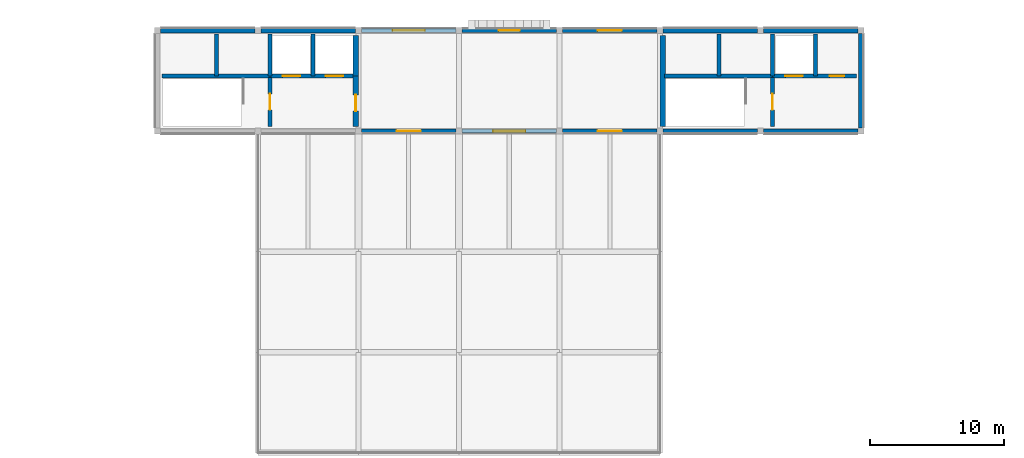
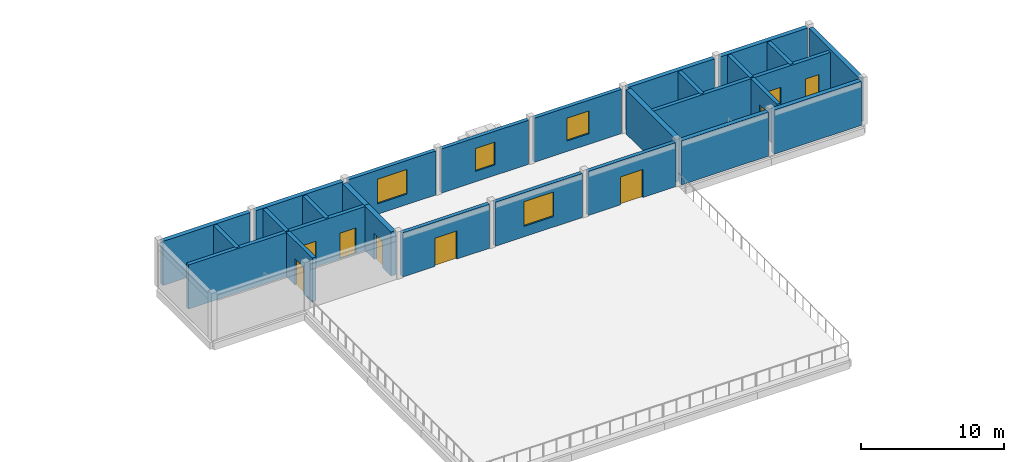
# One storey, part 17 of 33: 28 walls, 9 doors, 4 windows, 13 openings.
"""IFC4 building model written with IfcOpenShell, lengths in metres."""

from ifc_helpers import new_model, si_unit, direction, frame, frame_2d, origin, place, context, subcontext, project, spatial, rectangle, extrude, material, layer, layer_set, type_object, element, fill, save


model = new_model("IFC4")

# Units and contexts
model_context = context("Model", 3, precision=1e-05, world=origin(), true_north=direction((0.0, 1.0)))
body_context = subcontext(model_context, "Body", "Model", "MODEL_VIEW")
ifc_project = project(units=[si_unit("LENGTHUNIT", "METRE"), si_unit("AREAUNIT", "SQUARE_METRE"), si_unit("VOLUMEUNIT", "CUBIC_METRE"), si_unit("PLANEANGLEUNIT", "RADIAN"), si_unit("MASSUNIT", "GRAM", prefix="KILO")], contexts=[model_context])

# Site, building, storey
site_placement = place(None, origin())
site = spatial("IfcSite", under=ifc_project, at=site_placement, CompositionType="ELEMENT")
building_placement = place(site_placement, origin())
building = spatial("IfcBuilding", under=site, at=building_placement, Name="Dalvernix Boulevard General Hospital", CompositionType="ELEMENT")
storey_placement = place(building_placement, frame((0.0, 0.0, 21.89990234375)))
storey = spatial("IfcBuildingStorey", under=building, at=storey_placement, Name="L05", CompositionType="ELEMENT", Elevation=21.89990234375)

# Wall, opening, door
ifc_material_1 = material(Name="Concrete C40/50", Category="concrete")
ifc_layer_1 = layer(ifc_material_1, 0.39990234375)
ifc_layer_set_1 = layer_set([ifc_layer_1], Name="Concrete C40/50 (WAL-CSW-01)")
wall_type_1 = type_object("IfcWallType", Name="WAL-CSW-01", PredefinedType="SHEAR", material=ifc_layer_set_1)
wall_1_placement = place(storey_placement, frame((74.800048828125, 109.85009765625, 0.0), z_axis=(0.0, 0.0, 1.0), x_axis=(0.0, 1.0, 0.0)))
wall_1 = element("IfcWall", 1, at=wall_1_placement, inside=storey, type_object=wall_type_1, Name="L05 C3 east lobby core wall", PredefinedType="SHEAR", context=body_context, shape_type="SweptSolid", body=[
    extrude(rectangle(XDim=3.75, YDim=0.39990234375, at=frame_2d((1.875, 0.0))), origin(), (0.0, 0.0, 1.0), 3.77001953125),
])
opening_1_placement = place(wall_1_placement, frame((1.14990234375, 0.0, 0.0)))
opening_1 = element("IfcOpeningElement", 2, at=opening_1_placement, cuts=wall_1, Name="Opening FD-02", PredefinedType="OPENING", context=body_context, shape_type="SweptSolid", body=[
    extrude(rectangle(XDim=1.199951171875, YDim=2.25, at=frame_2d((0.60009765625, 1.125))), frame((0.0, 0.2099609375, 0.0), z_axis=(0.0, -1.0, 0.0), x_axis=(1.0, 0.0, 0.0)), (0.0, 0.0, 1.0), 0.419921875),
])
ifc_material_2 = material(Name="Hospital laminate acoustic timber and steel frame", Category="steel")
door_type_1 = type_object("IfcDoorType", Name="DR-FD-02", OperationType="NOTDEFINED", PredefinedType="DOOR", material=ifc_material_2)
door_1_placement = place(opening_1_placement, origin())
door_1 = element("IfcDoor", 3, at=door_1_placement, inside=storey, type_object=door_type_1, Name="L05 C3 east lobby fire door", OperationType="SINGLE_SWING_LEFT", OverallHeight=2.25, OverallWidth=1.199951171875, PredefinedType="DOOR", context=body_context, shape_type="SweptSolid", body=[
    extrude(rectangle(XDim=1.199951171875, YDim=2.25, at=frame_2d((0.60009765625, 1.125))), frame((0.0, 0.02490234375, 0.0), z_axis=(0.0, -1.0, 0.0), x_axis=(1.0, 0.0, 0.0)), (0.0, 0.0, 1.0), 0.050048828125),
])
fill(opening_1, door_1)

# Walls
wall_2_placement = place(storey_placement, frame((74.800048828125, 113.60009765625, 0.0), z_axis=(0.0, 0.0, 1.0), x_axis=(0.0, 1.0, 0.0)))
element("IfcWall", 4, at=wall_2_placement, inside=storey, type_object=wall_type_1, Name="L05 C3 east shaft core wall", PredefinedType="SHEAR", context=body_context, shape_type="SweptSolid", body=[
    extrude(rectangle(XDim=3.0498046875, YDim=0.39990234375, at=frame_2d((1.52490234375, 0.0))), origin(), (0.0, 0.0, 1.0), 3.77001953125),
])
wall_3_placement = place(storey_placement, frame((97.699951171875, 109.85009765625, 0.0), z_axis=(0.0, 0.0, 1.0), x_axis=(0.0, 1.0, 0.0)))
element("IfcWall", 5, at=wall_3_placement, inside=storey, type_object=wall_type_1, Name="L05 C4 west core wall", PredefinedType="SHEAR", context=body_context, shape_type="SweptSolid", body=[
    extrude(rectangle(XDim=6.7998046875, YDim=0.39990234375, at=frame_2d((3.39990234375, 0.0))), origin(), (0.0, 0.0, 1.0), 3.77001953125),
])
ifc_layer_2 = layer(ifc_material_1, 0.300048828125)
ifc_layer_set_2 = layer_set([ifc_layer_2], Name="Concrete C40/50 (WAL-CSW-02)")
wall_type_2 = type_object("IfcWallType", Name="WAL-CSW-02", PredefinedType="SHEAR", material=ifc_layer_set_2)
wall_4_placement = place(storey_placement, frame((60.35009765625, 113.60009765625, 0.0), z_axis=(0.0, 0.0, 1.0), x_axis=(1.0, 0.0, 0.0)))
element("IfcWall", 6, at=wall_4_placement, inside=storey, type_object=wall_type_2, Name="L05 C3 riser spine wall", PredefinedType="SHEAR", context=body_context, shape_type="SweptSolid", body=[
    extrude(rectangle(XDim=8.0498046875, YDim=0.300048828125, at=frame_2d((4.02490234375, 0.0))), origin(), (0.0, 0.0, 1.0), 3.77001953125),
])

# Wall, openings, doors
wall_5_placement = place(storey_placement, frame((68.39990234375, 113.60009765625, 0.0), z_axis=(0.0, 0.0, 1.0), x_axis=(1.0, 0.0, 0.0)))
wall_5 = element("IfcWall", 7, at=wall_5_placement, inside=storey, type_object=wall_type_2, Name="L05 C3 lift shaft front wall", PredefinedType="SHEAR", context=body_context, shape_type="SweptSolid", body=[
    extrude(rectangle(XDim=6.25, YDim=0.300048828125, at=frame_2d((3.125, 0.0))), origin(), (0.0, 0.0, 1.0), 3.77001953125),
])
opening_2_placement = place(wall_5_placement, frame((0.949951171875, 0.0, 0.0)))
opening_2 = element("IfcOpeningElement", 8, at=opening_2_placement, cuts=wall_5, Name="Opening LD-LF-01-L05", PredefinedType="OPENING", context=body_context, shape_type="SweptSolid", body=[
    extrude(rectangle(XDim=1.300048828125, YDim=2.199951171875, at=frame_2d((0.64990234375, 1.10009765625))), frame((0.0, 0.159912109375, 0.0), z_axis=(0.0, -1.0, 0.0), x_axis=(1.0, 0.0, 0.0)), (0.0, 0.0, 1.0), 0.320068359375),
])
opening_3_placement = place(wall_5_placement, frame((4.14990234375, 0.0, 0.0)))
opening_3 = element("IfcOpeningElement", 9, at=opening_3_placement, cuts=wall_5, Name="Opening LD-LF-02-L05", PredefinedType="OPENING", context=body_context, shape_type="SweptSolid", body=[
    extrude(rectangle(XDim=1.300048828125, YDim=2.199951171875, at=frame_2d((0.64990234375, 1.10009765625))), frame((0.0, 0.159912109375, 0.0), z_axis=(0.0, -1.0, 0.0), x_axis=(1.0, 0.0, 0.0)), (0.0, 0.0, 1.0), 0.320068359375),
])
ifc_material_3 = material(Name="Stainless-clad steel", Category="steel")
door_type_2 = type_object("IfcDoorType", Name="DR-LD-02", OperationType="DOUBLE_DOOR_SLIDING", PredefinedType="DOOR", material=ifc_material_3)
door_2_placement = place(opening_2_placement, origin())
door_2 = element("IfcDoor", 10, at=door_2_placement, inside=storey, type_object=door_type_2, Name="L05 Lift LF-01 sliding landing door", OperationType="DOUBLE_DOOR_SLIDING", OverallHeight=2.199951171875, OverallWidth=1.300048828125, PredefinedType="DOOR", context=body_context, shape_type="SweptSolid", body=[
    extrude(rectangle(XDim=1.300048828125, YDim=2.199951171875, at=frame_2d((0.64990234375, 1.10009765625))), frame((0.0, 0.02490234375, 0.0), z_axis=(0.0, -1.0, 0.0), x_axis=(1.0, 0.0, 0.0)), (0.0, 0.0, 1.0), 0.050048828125),
])
fill(opening_2, door_2)
door_3_placement = place(opening_3_placement, origin())
door_3 = element("IfcDoor", 11, at=door_3_placement, inside=storey, type_object=door_type_2, Name="L05 Lift LF-02 sliding landing door", OperationType="DOUBLE_DOOR_SLIDING", OverallHeight=2.199951171875, OverallWidth=1.300048828125, PredefinedType="DOOR", context=body_context, shape_type="SweptSolid", body=[
    extrude(rectangle(XDim=1.300048828125, YDim=2.199951171875, at=frame_2d((0.64990234375, 1.10009765625))), frame((0.0, 0.02490234375, 0.0), z_axis=(0.0, -1.0, 0.0), x_axis=(1.0, 0.0, 0.0)), (0.0, 0.0, 1.0), 0.050048828125),
])
fill(opening_3, door_3)

# Wall, opening, door
wall_6_placement = place(storey_placement, frame((68.39990234375, 113.5, 0.0), z_axis=(0.0, 0.0, 1.0), x_axis=(0.0, -1.0, 0.0)))
wall_6 = element("IfcWall", 12, at=wall_6_placement, inside=storey, type_object=wall_type_2, Name="L05 C3 stairwell fire wall", PredefinedType="SHEAR", context=body_context, shape_type="SweptSolid", body=[
    extrude(rectangle(XDim=3.64990234375, YDim=0.300048828125, at=frame_2d((1.824951171875, 0.0))), origin(), (0.0, 0.0, 1.0), 3.77001953125),
])
opening_4_placement = place(wall_6_placement, frame((1.219970703125, 0.0, 0.0)))
opening_4 = element("IfcOpeningElement", 13, at=opening_4_placement, cuts=wall_6, Name="Opening FD-02", PredefinedType="OPENING", context=body_context, shape_type="SweptSolid", body=[
    extrude(rectangle(XDim=1.199951171875, YDim=2.25, at=frame_2d((0.60009765625, 1.125))), frame((0.0, 0.159912109375, 0.0), z_axis=(0.0, -1.0, 0.0), x_axis=(1.0, 0.0, 0.0)), (0.0, 0.0, 1.0), 0.320068359375),
])
door_4_placement = place(opening_4_placement, origin())
door_4 = element("IfcDoor", 14, at=door_4_placement, inside=storey, type_object=door_type_1, Name="L05 Stair ST-03 fire door", OperationType="SINGLE_SWING_LEFT", OverallHeight=2.25, OverallWidth=1.199951171875, PredefinedType="DOOR", context=body_context, shape_type="SweptSolid", body=[
    extrude(rectangle(XDim=1.199951171875, YDim=2.25, at=frame_2d((0.60009765625, 1.125))), frame((0.0, 0.02490234375, 0.0), z_axis=(0.0, -1.0, 0.0), x_axis=(1.0, 0.0, 0.0)), (0.0, 0.0, 1.0), 0.050048828125),
])
fill(opening_4, door_4)

# Walls
for number, where, z_axis, x_axis, name in (
    (15, (64.39990234375, 113.60009765625, 0.0), (0.0, 0.0, 1.0), (0.0, 1.0, 0.0), "L05 C3 shaft divider R1"),
    (16, (68.39990234375, 113.60009765625, 0.0), (0.0, 0.0, 1.0), (0.0, 1.0, 0.0), "L05 C3 shaft divider R2"),
    (17, (71.60009765625, 113.60009765625, 0.0), (0.0, 0.0, 1.0), (0.0, 1.0, 0.0), "L05 C3 shaft divider L1"),
):
    element("IfcWall", number, at=place(storey_placement, frame(where, z_axis=z_axis, x_axis=x_axis)), inside=storey, type_object=wall_type_2, Name=name, PredefinedType="SHEAR", context=body_context, shape_type="SweptSolid", body=[
        extrude(rectangle(XDim=3.14990234375, YDim=0.300048828125, at=frame_2d((1.574951171875, 0.0))), origin(), (0.0, 0.0, 1.0), 3.77001953125),
    ])
wall_7_placement = place(storey_placement, frame((97.85009765625, 113.60009765625, 0.0), z_axis=(0.0, 0.0, 1.0), x_axis=(1.0, 0.0, 0.0)))
element("IfcWall", 18, at=wall_7_placement, inside=storey, type_object=wall_type_2, Name="L05 C4 riser spine wall", PredefinedType="SHEAR", context=body_context, shape_type="SweptSolid", body=[
    extrude(rectangle(XDim=8.0498046875, YDim=0.300048828125, at=frame_2d((4.02490234375, 0.0))), origin(), (0.0, 0.0, 1.0), 3.77001953125),
])

# Wall, openings, doors
wall_8_placement = place(storey_placement, frame((105.89990234375, 113.60009765625, 0.0), z_axis=(0.0, 0.0, 1.0), x_axis=(1.0, 0.0, 0.0)))
wall_8 = element("IfcWall", 19, at=wall_8_placement, inside=storey, type_object=wall_type_2, Name="L05 C4 lift shaft front wall", PredefinedType="SHEAR", context=body_context, shape_type="SweptSolid", body=[
    extrude(rectangle(XDim=6.25, YDim=0.300048828125, at=frame_2d((3.125, 0.0))), origin(), (0.0, 0.0, 1.0), 3.77001953125),
])
opening_5_placement = place(wall_8_placement, frame((0.949951171875, 0.0, 0.0)))
opening_5 = element("IfcOpeningElement", 20, at=opening_5_placement, cuts=wall_8, Name="Opening LD-LF-03-L05", PredefinedType="OPENING", context=body_context, shape_type="SweptSolid", body=[
    extrude(rectangle(XDim=1.300048828125, YDim=2.199951171875, at=frame_2d((0.64990234375, 1.10009765625))), frame((0.0, 0.159912109375, 0.0), z_axis=(0.0, -1.0, 0.0), x_axis=(1.0, 0.0, 0.0)), (0.0, 0.0, 1.0), 0.320068359375),
])
opening_6_placement = place(wall_8_placement, frame((4.25, 0.0, 0.0)))
opening_6 = element("IfcOpeningElement", 21, at=opening_6_placement, cuts=wall_8, Name="Opening FD-04", PredefinedType="OPENING", context=body_context, shape_type="SweptSolid", body=[
    extrude(rectangle(XDim=1.10009765625, YDim=2.199951171875, at=frame_2d((0.550048828125, 1.10009765625))), frame((0.0, 0.159912109375, 0.0), z_axis=(0.0, -1.0, 0.0), x_axis=(1.0, 0.0, 0.0)), (0.0, 0.0, 1.0), 0.320068359375),
])
door_type_3 = type_object("IfcDoorType", Name="DR-FD-04", OperationType="NOTDEFINED", PredefinedType="DOOR", material=ifc_material_2)
door_5_placement = place(opening_6_placement, origin())
door_5 = element("IfcDoor", 22, at=door_5_placement, inside=storey, type_object=door_type_3, Name="L05 C4 clean utility door 2", OperationType="SINGLE_SWING_RIGHT", OverallHeight=2.199951171875, OverallWidth=1.10009765625, PredefinedType="DOOR", context=body_context, shape_type="SweptSolid", body=[
    extrude(rectangle(XDim=1.10009765625, YDim=2.199951171875, at=frame_2d((0.550048828125, 1.10009765625))), frame((0.0, 0.02490234375, 0.0), z_axis=(0.0, -1.0, 0.0), x_axis=(1.0, 0.0, 0.0)), (0.0, 0.0, 1.0), 0.050048828125),
])
fill(opening_6, door_5)
door_6_placement = place(opening_5_placement, origin())
door_6 = element("IfcDoor", 23, at=door_6_placement, inside=storey, type_object=door_type_2, Name="L05 Lift LF-03 sliding landing door", OperationType="DOUBLE_DOOR_SLIDING", OverallHeight=2.199951171875, OverallWidth=1.300048828125, PredefinedType="DOOR", context=body_context, shape_type="SweptSolid", body=[
    extrude(rectangle(XDim=1.300048828125, YDim=2.199951171875, at=frame_2d((0.64990234375, 1.10009765625))), frame((0.0, 0.02490234375, 0.0), z_axis=(0.0, -1.0, 0.0), x_axis=(1.0, 0.0, 0.0)), (0.0, 0.0, 1.0), 0.050048828125),
])
fill(opening_5, door_6)

# Wall, opening, door
wall_9_placement = place(storey_placement, frame((105.89990234375, 113.5, 0.0), z_axis=(0.0, 0.0, 1.0), x_axis=(0.0, -1.0, 0.0)))
wall_9 = element("IfcWall", 24, at=wall_9_placement, inside=storey, type_object=wall_type_2, Name="L05 C4 stairwell fire wall", PredefinedType="SHEAR", context=body_context, shape_type="SweptSolid", body=[
    extrude(rectangle(XDim=3.64990234375, YDim=0.300048828125, at=frame_2d((1.824951171875, 0.0))), origin(), (0.0, 0.0, 1.0), 3.77001953125),
])
opening_7_placement = place(wall_9_placement, frame((1.219970703125, 0.0, 0.0)))
opening_7 = element("IfcOpeningElement", 25, at=opening_7_placement, cuts=wall_9, Name="Opening FD-02", PredefinedType="OPENING", context=body_context, shape_type="SweptSolid", body=[
    extrude(rectangle(XDim=1.199951171875, YDim=2.25, at=frame_2d((0.60009765625, 1.125))), frame((0.0, 0.159912109375, 0.0), z_axis=(0.0, -1.0, 0.0), x_axis=(1.0, 0.0, 0.0)), (0.0, 0.0, 1.0), 0.320068359375),
])
door_7_placement = place(opening_7_placement, origin())
door_7 = element("IfcDoor", 26, at=door_7_placement, inside=storey, type_object=door_type_1, Name="L05 Stair ST-04 fire door", OperationType="SINGLE_SWING_LEFT", OverallHeight=2.25, OverallWidth=1.199951171875, PredefinedType="DOOR", context=body_context, shape_type="SweptSolid", body=[
    extrude(rectangle(XDim=1.199951171875, YDim=2.25, at=frame_2d((0.60009765625, 1.125))), frame((0.0, 0.02490234375, 0.0), z_axis=(0.0, -1.0, 0.0), x_axis=(1.0, 0.0, 0.0)), (0.0, 0.0, 1.0), 0.050048828125),
])
fill(opening_7, door_7)

# Walls
for number, where, z_axis, x_axis, name in (
    (27, (101.89990234375, 113.60009765625, 0.0), (0.0, 0.0, 1.0), (0.0, 1.0, 0.0), "L05 C4 shaft divider R1"),
    (28, (105.89990234375, 113.60009765625, 0.0), (0.0, 0.0, 1.0), (0.0, 1.0, 0.0), "L05 C4 shaft divider R2"),
    (29, (109.10009765625, 113.60009765625, 0.0), (0.0, 0.0, 1.0), (0.0, 1.0, 0.0), "L05 C4 shaft divider L1"),
):
    element("IfcWall", number, at=place(storey_placement, frame(where, z_axis=z_axis, x_axis=x_axis)), inside=storey, type_object=wall_type_2, Name=name, PredefinedType="SHEAR", context=body_context, shape_type="SweptSolid", body=[
        extrude(rectangle(XDim=3.14990234375, YDim=0.300048828125, at=frame_2d((1.574951171875, 0.0))), origin(), (0.0, 0.0, 1.0), 3.77001953125),
    ])
ifc_layer_3 = layer(ifc_material_1, 0.35009765625)
ifc_layer_set_3 = layer_set([ifc_layer_3], Name="Concrete C40/50 (WAL-ESW-01)")
wall_type_3 = type_object("IfcWallType", Name="WAL-ESW-01", PredefinedType="SHEAR", material=ifc_layer_set_3)
for number, where, z_axis, x_axis, name in (
    (30, (60.235107421875, 117.0, 0.0), (0.0, 0.0, 1.0), (1.0, 0.0, 0.0), "L05 core perimeter shear wall N 8-15"),
    (31, (67.735107421875, 117.0, 0.0), (0.0, 0.0, 1.0), (1.0, 0.0, 0.0), "L05 core perimeter shear wall N 9-15"),
    (32, (104.764892578125, 109.5, 0.0), (0.0, 0.0, 1.0), (-1.0, 0.0, 0.0), "L05 core perimeter shear wall S 13-14"),
    (33, (97.735107421875, 117.0, 0.0), (0.0, 0.0, 1.0), (1.0, 0.0, 0.0), "L05 core perimeter shear wall N 13-15"),
    (34, (112.264892578125, 109.5, 0.0), (0.0, 0.0, 1.0), (-1.0, 0.0, 0.0), "L05 core perimeter shear wall S 14-14"),
    (35, (105.235107421875, 117.0, 0.0), (0.0, 0.0, 1.0), (1.0, 0.0, 0.0), "L05 core perimeter shear wall N 14-15"),
    (36, (112.5, 116.764892578125, 0.0), (0.0, 0.0, 1.0), (0.0, -1.0, 0.0), "L05 core perimeter shear wall E 15-14"),
):
    element("IfcWall", number, at=place(storey_placement, frame(where, z_axis=z_axis, x_axis=x_axis)), inside=storey, type_object=wall_type_3, Name=name, PredefinedType="SHEAR", context=body_context, shape_type="SweptSolid", body=[
        extrude(rectangle(XDim=7.02978515625, YDim=0.35009765625, at=frame_2d((3.514892578125, 0.0))), origin(), (0.0, 0.0, 1.0), 3.77001953125),
    ])

# Wall, opening, door
ifc_material_4 = material(Name="Pressed Catalan clay brick and ceramic spandrel wall C35/45", Category="masonry")
ifc_layer_4 = layer(ifc_material_4, 0.300048828125)
ifc_layer_set_4 = layer_set([ifc_layer_4], Name="Pressed Catalan clay brick and ceramic spandrel wall C35/45 (WAL-EW-02)")
wall_type_4 = type_object("IfcWallType", Name="WAL-EW-02", PredefinedType="STANDARD", material=ifc_layer_set_4)
wall_10_placement = place(storey_placement, frame((82.264892578125, 109.5, 0.0), z_axis=(0.0, 0.0, 1.0), x_axis=(-1.0, 0.0, 0.0)))
wall_10 = element("IfcWall", 37, at=wall_10_placement, inside=storey, type_object=wall_type_4, Name="L05 Catalan brick external wall S 10-14", PredefinedType="STANDARD", context=body_context, shape_type="SweptSolid", body=[
    extrude(rectangle(XDim=7.02978515625, YDim=0.300048828125, at=frame_2d((3.514892578125, 0.0))), origin(), (0.0, 0.0, 1.0), 3.77001953125),
])
opening_8_placement = place(wall_10_placement, frame((2.614990234375, 0.0, 0.0)))
opening_8 = element("IfcOpeningElement", 38, at=opening_8_placement, cuts=wall_10, Name="Opening HD-18", PredefinedType="OPENING", context=body_context, shape_type="SweptSolid", body=[
    extrude(rectangle(XDim=1.800048828125, YDim=2.39990234375, at=frame_2d((0.89990234375, 1.199951171875))), frame((0.0, 0.159912109375, 0.0), z_axis=(0.0, -1.0, 0.0), x_axis=(1.0, 0.0, 0.0)), (0.0, 0.0, 1.0), 0.320068359375),
])
ifc_material_5 = material(Name="Galvanized painted steel", Category="steel")
door_type_4 = type_object("IfcDoorType", Name="DR-HD-18", OperationType="DOUBLE_DOOR_SINGLE_SWING", PredefinedType="DOOR", material=ifc_material_5)
door_8_placement = place(opening_8_placement, origin())
door_8 = element("IfcDoor", 39, at=door_8_placement, inside=storey, type_object=door_type_4, Name="Helideck stretcher access door 10", OperationType="DOUBLE_DOOR_SINGLE_SWING", OverallHeight=2.39990234375, OverallWidth=1.800048828125, PredefinedType="DOOR", context=body_context, shape_type="SweptSolid", body=[
    extrude(rectangle(XDim=1.800048828125, YDim=2.39990234375, at=frame_2d((0.89990234375, 1.199951171875))), frame((0.0, 0.02490234375, 0.0), z_axis=(0.0, -1.0, 0.0), x_axis=(1.0, 0.0, 0.0)), (0.0, 0.0, 1.0), 0.050048828125),
])
fill(opening_8, door_8)

# Wall, opening, window
wall_11_placement = place(storey_placement, frame((75.235107421875, 117.0, 0.0), z_axis=(0.0, 0.0, 1.0), x_axis=(1.0, 0.0, 0.0)))
wall_11 = element("IfcWall", 40, at=wall_11_placement, inside=storey, type_object=wall_type_4, Name="L05 Catalan brick external wall N 10-15", PredefinedType="STANDARD", context=body_context, shape_type="SweptSolid", body=[
    extrude(rectangle(XDim=7.02978515625, YDim=0.300048828125, at=frame_2d((3.514892578125, 0.0))), origin(), (0.0, 0.0, 1.0), 3.77001953125),
])
opening_9_placement = place(wall_11_placement, frame((2.31494140625, 0.0, 0.89990234375)))
opening_9 = element("IfcOpeningElement", 41, at=opening_9_placement, cuts=wall_11, Name="Opening WN-09", PredefinedType="OPENING", context=body_context, shape_type="SweptSolid", body=[
    extrude(rectangle(XDim=2.39990234375, YDim=2.10009765625, at=frame_2d((1.199951171875, 1.050048828125))), frame((0.0, 0.159912109375, 0.0), z_axis=(0.0, -1.0, 0.0), x_axis=(1.0, 0.0, 0.0)), (0.0, 0.0, 1.0), 0.320068359375),
])
ifc_material_6 = material(Name="Thermally broken aluminium frame with solar-control double glazing", Category="aluminium")
window_type_1 = type_object("IfcWindowType", Name="WIN-WN-09", PartitioningType="SINGLE_PANEL", PredefinedType="WINDOW", material=ifc_material_6)
window_1_placement = place(opening_9_placement, origin())
window_1 = element("IfcWindow", 42, at=window_1_placement, inside=storey, type_object=window_type_1, Name="L05 clinical window WN-09 N 10-15", OverallHeight=2.10009765625, OverallWidth=2.39990234375, PartitioningType="SINGLE_PANEL", PredefinedType="WINDOW", context=body_context, shape_type="SweptSolid", body=[
    extrude(rectangle(XDim=2.39990234375, YDim=2.10009765625, at=frame_2d((1.199951171875, 1.050048828125))), frame((0.0, 0.030029296875, 0.0), z_axis=(0.0, -1.0, 0.0), x_axis=(1.0, 0.0, 0.0)), (0.0, 0.0, 1.0), 0.06005859375),
])
fill(opening_9, window_1)

wall_12_placement = place(storey_placement, frame((89.764892578125, 109.5, 0.0), z_axis=(0.0, 0.0, 1.0), x_axis=(-1.0, 0.0, 0.0)))
wall_12 = element("IfcWall", 43, at=wall_12_placement, inside=storey, type_object=wall_type_4, Name="L05 Catalan brick external wall S 11-14", PredefinedType="STANDARD", context=body_context, shape_type="SweptSolid", body=[
    extrude(rectangle(XDim=7.02978515625, YDim=0.300048828125, at=frame_2d((3.514892578125, 0.0))), origin(), (0.0, 0.0, 1.0), 3.77001953125),
])
opening_10_placement = place(wall_12_placement, frame((2.31494140625, 0.0, 0.89990234375)))
opening_10 = element("IfcOpeningElement", 44, at=opening_10_placement, cuts=wall_12, Name="Opening WN-09", PredefinedType="OPENING", context=body_context, shape_type="SweptSolid", body=[
    extrude(rectangle(XDim=2.39990234375, YDim=2.10009765625, at=frame_2d((1.199951171875, 1.050048828125))), frame((0.0, 0.159912109375, 0.0), z_axis=(0.0, -1.0, 0.0), x_axis=(1.0, 0.0, 0.0)), (0.0, 0.0, 1.0), 0.320068359375),
])
window_2_placement = place(opening_10_placement, origin())
window_2 = element("IfcWindow", 45, at=window_2_placement, inside=storey, type_object=window_type_1, Name="L05 clinical window WN-09 S 11-14", OverallHeight=2.10009765625, OverallWidth=2.39990234375, PartitioningType="SINGLE_PANEL", PredefinedType="WINDOW", context=body_context, shape_type="SweptSolid", body=[
    extrude(rectangle(XDim=2.39990234375, YDim=2.10009765625, at=frame_2d((1.199951171875, 1.050048828125))), frame((0.0, 0.030029296875, 0.0), z_axis=(0.0, -1.0, 0.0), x_axis=(1.0, 0.0, 0.0)), (0.0, 0.0, 1.0), 0.06005859375),
])
fill(opening_10, window_2)

wall_13_placement = place(storey_placement, frame((82.735107421875, 117.0, 0.0), z_axis=(0.0, 0.0, 1.0), x_axis=(1.0, 0.0, 0.0)))
wall_13 = element("IfcWall", 46, at=wall_13_placement, inside=storey, type_object=wall_type_4, Name="L05 Catalan brick external wall N 11-15", PredefinedType="STANDARD", context=body_context, shape_type="SweptSolid", body=[
    extrude(rectangle(XDim=7.02978515625, YDim=0.300048828125, at=frame_2d((3.514892578125, 0.0))), origin(), (0.0, 0.0, 1.0), 3.77001953125),
])
opening_11_placement = place(wall_13_placement, frame((2.715087890625, 0.0, 0.89990234375)))
opening_11 = element("IfcOpeningElement", 47, at=opening_11_placement, cuts=wall_13, Name="Opening WN-10", PredefinedType="OPENING", context=body_context, shape_type="SweptSolid", body=[
    extrude(rectangle(XDim=1.60009765625, YDim=1.949951171875, at=frame_2d((0.800048828125, 0.97509765625))), frame((0.0, 0.159912109375, 0.0), z_axis=(0.0, -1.0, 0.0), x_axis=(1.0, 0.0, 0.0)), (0.0, 0.0, 1.0), 0.320068359375),
])
window_type_2 = type_object("IfcWindowType", Name="WIN-WN-10", PartitioningType="SINGLE_PANEL", PredefinedType="WINDOW", material=ifc_material_6)
window_3_placement = place(opening_11_placement, origin())
window_3 = element("IfcWindow", 48, at=window_3_placement, inside=storey, type_object=window_type_2, Name="L05 clinical window WN-10 N 11-15", OverallHeight=1.949951171875, OverallWidth=1.60009765625, PartitioningType="SINGLE_PANEL", PredefinedType="WINDOW", context=body_context, shape_type="SweptSolid", body=[
    extrude(rectangle(XDim=1.60009765625, YDim=1.949951171875, at=frame_2d((0.800048828125, 0.97509765625))), frame((0.0, 0.030029296875, 0.0), z_axis=(0.0, -1.0, 0.0), x_axis=(1.0, 0.0, 0.0)), (0.0, 0.0, 1.0), 0.06005859375),
])
fill(opening_11, window_3)

# Wall, opening, door
wall_14_placement = place(storey_placement, frame((97.264892578125, 109.5, 0.0), z_axis=(0.0, 0.0, 1.0), x_axis=(-1.0, 0.0, 0.0)))
wall_14 = element("IfcWall", 49, at=wall_14_placement, inside=storey, type_object=wall_type_4, Name="L05 Catalan brick external wall S 12-14", PredefinedType="STANDARD", context=body_context, shape_type="SweptSolid", body=[
    extrude(rectangle(XDim=7.02978515625, YDim=0.300048828125, at=frame_2d((3.514892578125, 0.0))), origin(), (0.0, 0.0, 1.0), 3.77001953125),
])
opening_12_placement = place(wall_14_placement, frame((2.614990234375, 0.0, 0.0)))
opening_12 = element("IfcOpeningElement", 50, at=opening_12_placement, cuts=wall_14, Name="Opening HD-18", PredefinedType="OPENING", context=body_context, shape_type="SweptSolid", body=[
    extrude(rectangle(XDim=1.800048828125, YDim=2.39990234375, at=frame_2d((0.89990234375, 1.199951171875))), frame((0.0, 0.159912109375, 0.0), z_axis=(0.0, -1.0, 0.0), x_axis=(1.0, 0.0, 0.0)), (0.0, 0.0, 1.0), 0.320068359375),
])
door_9_placement = place(opening_12_placement, origin())
door_9 = element("IfcDoor", 51, at=door_9_placement, inside=storey, type_object=door_type_4, Name="Helideck stretcher access door 12", OperationType="DOUBLE_DOOR_SINGLE_SWING", OverallHeight=2.39990234375, OverallWidth=1.800048828125, PredefinedType="DOOR", context=body_context, shape_type="SweptSolid", body=[
    extrude(rectangle(XDim=1.800048828125, YDim=2.39990234375, at=frame_2d((0.89990234375, 1.199951171875))), frame((0.0, 0.02490234375, 0.0), z_axis=(0.0, -1.0, 0.0), x_axis=(1.0, 0.0, 0.0)), (0.0, 0.0, 1.0), 0.050048828125),
])
fill(opening_12, door_9)

# Wall, opening, window
wall_15_placement = place(storey_placement, frame((90.235107421875, 117.0, 0.0), z_axis=(0.0, 0.0, 1.0), x_axis=(1.0, 0.0, 0.0)))
wall_15 = element("IfcWall", 52, at=wall_15_placement, inside=storey, type_object=wall_type_4, Name="L05 Catalan brick external wall N 12-15", PredefinedType="STANDARD", context=body_context, shape_type="SweptSolid", body=[
    extrude(rectangle(XDim=7.02978515625, YDim=0.300048828125, at=frame_2d((3.514892578125, 0.0))), origin(), (0.0, 0.0, 1.0), 3.77001953125),
])
opening_13_placement = place(wall_15_placement, frame((2.614990234375, 0.0, 0.89990234375)))
opening_13 = element("IfcOpeningElement", 53, at=opening_13_placement, cuts=wall_15, Name="Opening WN-11", PredefinedType="OPENING", context=body_context, shape_type="SweptSolid", body=[
    extrude(rectangle(XDim=1.800048828125, YDim=1.949951171875, at=frame_2d((0.89990234375, 0.97509765625))), frame((0.0, 0.159912109375, 0.0), z_axis=(0.0, -1.0, 0.0), x_axis=(1.0, 0.0, 0.0)), (0.0, 0.0, 1.0), 0.320068359375),
])
window_type_3 = type_object("IfcWindowType", Name="WIN-WN-11", PartitioningType="SINGLE_PANEL", PredefinedType="WINDOW", material=ifc_material_6)
window_4_placement = place(opening_13_placement, origin())
window_4 = element("IfcWindow", 54, at=window_4_placement, inside=storey, type_object=window_type_3, Name="L05 clinical window WN-11 N 12-15", OverallHeight=1.949951171875, OverallWidth=1.800048828125, PartitioningType="SINGLE_PANEL", PredefinedType="WINDOW", context=body_context, shape_type="SweptSolid", body=[
    extrude(rectangle(XDim=1.800048828125, YDim=1.949951171875, at=frame_2d((0.89990234375, 0.97509765625))), frame((0.0, 0.030029296875, 0.0), z_axis=(0.0, -1.0, 0.0), x_axis=(1.0, 0.0, 0.0)), (0.0, 0.0, 1.0), 0.06005859375),
])
fill(opening_13, window_4)

save(model, "model.ifc")
